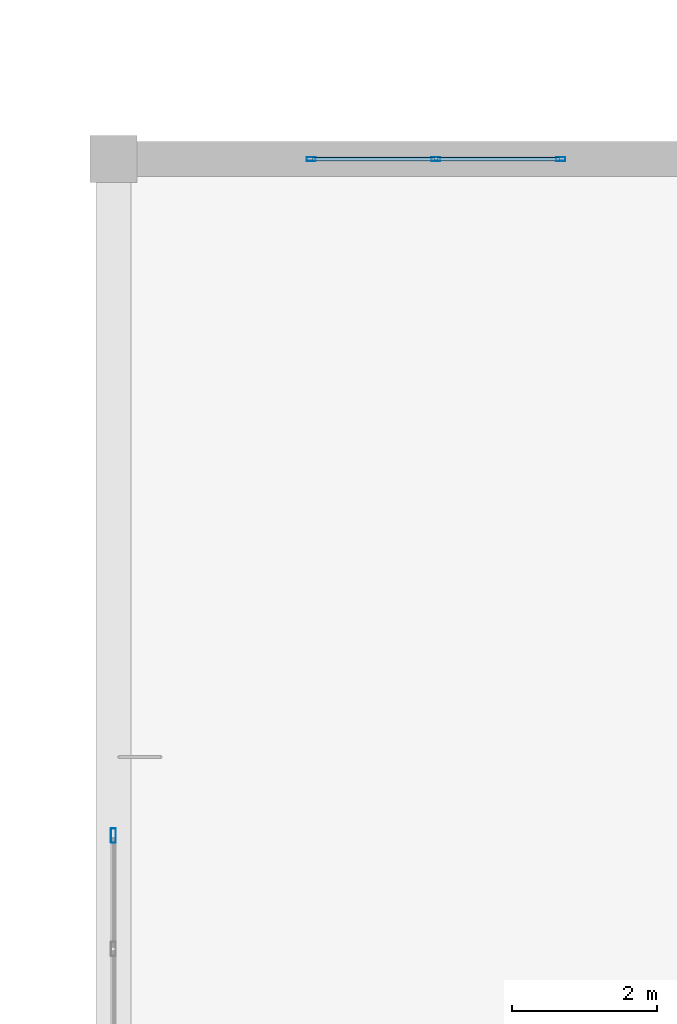
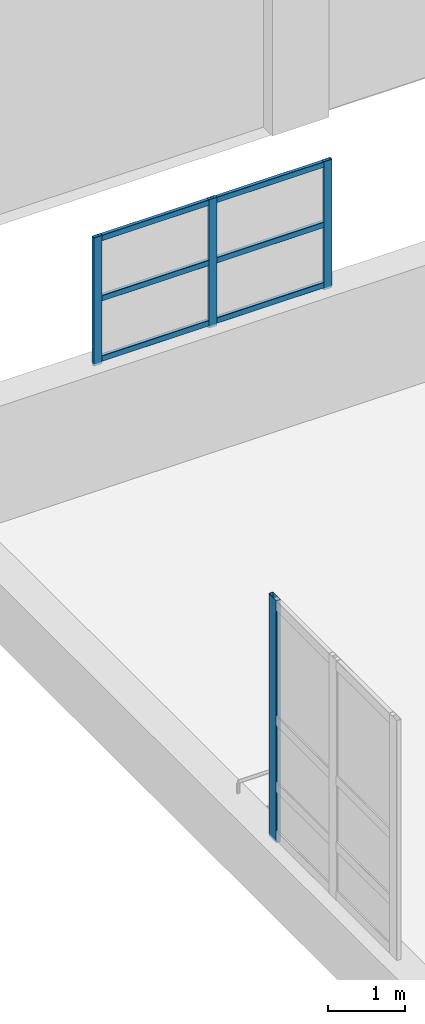
# One storey, part 21 of 197: 10 members, 2 elements without a shape of their own.
"""IFC4 building model written with IfcOpenShell, lengths in metres."""

import ifcopenshell
import ifcopenshell.guid

model = None  # the IFC model being written
_history = None  # IfcOwnerHistory: only IFC2X3 demands one
_inside = {}  # id of a spatial element -> (the spatial element, [elements in it])
_under = {}  # id of a project, library or spatial element -> (it, [spatial elements below it])
_declared = {}  # id of a project -> (the project, [libraries it declares])
_typed = {}  # id of a type object -> (the type object, [elements of that type])
_made_of = {}  # id of a material, layer set ... -> (it, [elements and type objects made of it])


def new_model(schema):
    """Start an empty IFC model of exactly this schema.

    Asked for "IFC4X3", IfcOpenShell would pick the latest addendum, in which some entities
    have other attributes; the version numbers below select the first issue.
    IFC2X3 requires an IfcOwnerHistory on every rooted entity: one is made here for all.
    """
    global model, _history
    if schema == "IFC4X3":
        model = ifcopenshell.file(schema_version=(4, 3, 0, 0))
    else:
        model = ifcopenshell.file(schema=schema)
    _inside.clear()
    _under.clear()
    _declared.clear()
    _typed.clear()
    _made_of.clear()
    _history = None
    if model.schema == "IFC2X3":
        org = make("IfcOrganization", Name="unknown")
        user = make(
            "IfcPersonAndOrganization",
            ThePerson=make("IfcPerson", FamilyName="unknown"),
            TheOrganization=org,
        )
        app = make(
            "IfcApplication",
            ApplicationDeveloper=org,
            Version="unknown",
            ApplicationFullName="unknown",
            ApplicationIdentifier="unknown",
        )
        _history = make(
            "IfcOwnerHistory",
            OwningUser=user,
            OwningApplication=app,
            ChangeAction="ADDED",
            CreationDate=0,
        )
    return model


def make(cls, **values):
    """One entity of the class cls with the attributes given. An attribute that is None is left unset."""
    return model.create_entity(
        cls, **{name: value for name, value in values.items() if value is not None}
    )


def rooted(cls, **values):
    """An entity with a GlobalId (a new one), such as an element, a storey or a relation."""
    return make(cls, GlobalId=ifcopenshell.guid.new(), OwnerHistory=_history, **values)


def si_unit(unit_type, name, prefix=None):
    """IfcSIUnit, for example si_unit("LENGTHUNIT", "METRE", prefix="MILLI")."""
    return make("IfcSIUnit", UnitType=unit_type, Prefix=prefix, Name=name)


def derived_unit(unit_type, elements):
    """IfcDerivedUnit: a product of units, each with its exponent."""
    return make(
        "IfcDerivedUnit",
        Elements=[
            make("IfcDerivedUnitElement", Unit=unit, Exponent=power)
            for unit, power in elements
        ],
        UnitType=unit_type,
    )


def assignment(units):
    """IfcUnitAssignment: the units of a project."""
    return None if units is None else make("IfcUnitAssignment", Units=units)


def point(xyz):
    """IfcCartesianPoint."""
    return None if xyz is None else make("IfcCartesianPoint", Coordinates=xyz)


def direction(xyz):
    """IfcDirection."""
    return None if xyz is None else make("IfcDirection", DirectionRatios=xyz)


def frame(location, z_axis=None, x_axis=None):
    """IfcAxis2Placement3D, a coordinate frame: its origin and axes. An axis left out is left unset."""
    return make(
        "IfcAxis2Placement3D",
        Location=point(location),
        Axis=direction(z_axis),
        RefDirection=direction(x_axis),
    )


def frame_2d(location, x_axis=None):
    """IfcAxis2Placement2D, a coordinate frame in the plane: its origin and x axis."""
    return make(
        "IfcAxis2Placement2D", Location=point(location), RefDirection=direction(x_axis)
    )


def origin():
    """The frame at (0, 0, 0) with its axes left unset."""
    return frame((0.0, 0.0, 0.0))


def origin_2d():
    """The frame at (0, 0) in the plane with its x axis left unset."""
    return frame_2d((0.0, 0.0))


def place(relative_to, where):
    """IfcLocalPlacement: puts the frame where relative to a parent placement (None: the world)."""
    return make(
        "IfcLocalPlacement", PlacementRelTo=relative_to, RelativePlacement=where
    )


def context(
    kind, dimensions, precision=None, world=None, true_north=None, identifier=None
):
    """IfcGeometricRepresentationContext, for example the 3D "Model" context."""
    return make(
        "IfcGeometricRepresentationContext",
        ContextIdentifier=identifier,
        ContextType=kind,
        CoordinateSpaceDimension=dimensions,
        Precision=precision,
        WorldCoordinateSystem=world,
        TrueNorth=true_north,
    )


def subcontext(parent, identifier, kind, view, scale=None):
    """IfcGeometricRepresentationSubContext, for example "Body" below "Model"."""
    return make(
        "IfcGeometricRepresentationSubContext",
        ContextIdentifier=identifier,
        ContextType=kind,
        ParentContext=parent,
        TargetScale=scale,
        TargetView=view,
    )


def project(units=None, contexts=None):
    """IfcProject with its units and contexts."""
    return rooted(
        "IfcProject",
        Name="project",
        RepresentationContexts=contexts,
        UnitsInContext=assignment(units),
    )


def spatial(cls, under=None, at=None, **own):
    """A site, building, storey or space (cls), placed at a placement, below another one or the project."""
    s = rooted(cls, ObjectPlacement=at, **own)
    if under is not None:
        _under.setdefault(under.id(), (under, []))[1].append(s)
    return s


def profile(cls, at=None, kind="AREA", **sizes):
    """A parametric profile (cls). Its sizes go by their IFC names, for example OverallWidth=200.0."""
    return make(cls, ProfileType=kind, Position=at, **sizes)


def hollow_rectangle(**sizes):
    """IfcRectangleHollowProfileDef."""
    return profile("IfcRectangleHollowProfileDef", **sizes)


def extrude(swept, where, along, depth):
    """IfcExtrudedAreaSolid: the profile swept, set in the frame where, extruded along a direction by depth."""
    return make(
        "IfcExtrudedAreaSolid",
        SweptArea=swept,
        Position=where,
        ExtrudedDirection=direction(along),
        Depth=depth,
    )


def shape(context_of_items, identifier, shape_type, items):
    """IfcShapeRepresentation: the items that make up one representation, for example the "Body"."""
    return make(
        "IfcShapeRepresentation",
        ContextOfItems=context_of_items,
        RepresentationIdentifier=identifier,
        RepresentationType=shape_type,
        Items=items,
    )


def material(Name=None, Category=None):
    """IfcMaterial."""
    return make("IfcMaterial", Name=Name, Category=Category)


def layer(
    of_material, thickness, ventilated=None, Name=None, Category=None, Priority=None
):
    """IfcMaterialLayer: one layer of a wall or slab, of a material (None: an air gap)."""
    return make(
        "IfcMaterialLayer",
        Material=of_material,
        LayerThickness=thickness,
        IsVentilated=ventilated,
        Name=Name,
        Category=Category,
        Priority=Priority,
    )


def layer_set(layers, Name=None):
    """IfcMaterialLayerSet."""
    return make("IfcMaterialLayerSet", MaterialLayers=layers, LayerSetName=Name)


def material_profile(
    of_material, cross_section, Name=None, Category=None, Priority=None
):
    """IfcMaterialProfile: a cross section and its material."""
    return make(
        "IfcMaterialProfile",
        Name=Name,
        Material=of_material,
        Profile=cross_section,
        Priority=Priority,
        Category=Category,
    )


def profile_set(profiles, Name=None, composite=None):
    """IfcMaterialProfileSet."""
    return make(
        "IfcMaterialProfileSet",
        Name=Name,
        MaterialProfiles=profiles,
        CompositeProfile=composite,
    )


def made_of(thing, what):
    """Note that an element or type object is made of a material, layer set ...; save() writes the relation."""
    if what is not None:
        _made_of.setdefault(what.id(), (what, []))[1].append(thing)
    return thing


def type_object(cls, material=None, **own):
    """A type object (cls), such as IfcWallType, which elements share."""
    return made_of(rooted(cls, **own), material)


def element(
    cls,
    number,
    at=None,
    inside=None,
    cuts=None,
    type_object=None,
    material=None,
    context=None,
    identifier="Body",
    shape_type=None,
    held_by="IfcProductDefinitionShape",
    body=None,
    shapes=None,
    **own,
):
    """One element of the class cls, such as IfcWall. Its Tag is "e" and its number.

    at: its placement. inside: the storey or other place that contains it. cuts: it is an
    opening in that element (IfcRelVoidsElement). A single representation is given by context,
    identifier, shape_type and body (its items); several are given by shapes. held_by: the class
    of the entity that holds the representations. save() writes the other relations.
    """
    e = rooted(cls, Tag="e%d" % number, ObjectPlacement=at, **own)
    if body is not None:
        shapes = [shape(context, identifier, shape_type, body)]
    if shapes is not None:
        e.Representation = make(held_by, Representations=shapes)
    if inside is not None:
        _inside.setdefault(inside.id(), (inside, []))[1].append(e)
    if cuts is not None:
        rooted(
            "IfcRelVoidsElement", RelatingBuildingElement=cuts, RelatedOpeningElement=e
        )
    if type_object is not None:
        _typed.setdefault(type_object.id(), (type_object, []))[1].append(e)
    return made_of(e, material)


def aggregate(whole, parts):
    """IfcRelAggregates: a whole, such as a stair, and the parts it consists of."""
    return rooted("IfcRelAggregates", RelatingObject=whole, RelatedObjects=parts)


def save(model, path):
    """Write the relations noted so far, then the file.

    IfcRelAggregates (storeys below a building ...), IfcRelContainedInSpatialStructure (elements
    in a storey), IfcRelDefinesByType, IfcRelAssociatesMaterial and IfcRelDeclares: one each for
    every whole, place, type object, material and project.
    """
    for whole, parts in _under.values():
        aggregate(whole, parts)
    for where, things in _inside.values():
        rooted(
            "IfcRelContainedInSpatialStructure",
            RelatedElements=things,
            RelatingStructure=where,
        )
    for kind, things in _typed.values():
        rooted("IfcRelDefinesByType", RelatedObjects=things, RelatingType=kind)
    for what, things in _made_of.values():
        rooted("IfcRelAssociatesMaterial", RelatedObjects=things, RelatingMaterial=what)
    for by, libraries in _declared.values():
        rooted("IfcRelDeclares", RelatingContext=by, RelatedDefinitions=libraries)
    model.write(path)


model = new_model("IFC4")

# Units and contexts
model_context = context("Model", 3, precision=1e-05, world=origin(), true_north=direction((0.0, 1.0)))
body_context = subcontext(model_context, "Body", "Model", "MODEL_VIEW")
ifc_project = project(units=[si_unit("LENGTHUNIT", "METRE"), si_unit("AREAUNIT", "SQUARE_METRE"), si_unit("VOLUMEUNIT", "CUBIC_METRE"), si_unit("PLANEANGLEUNIT", "RADIAN"), si_unit("MASSUNIT", "GRAM", prefix="KILO"), derived_unit("THERMALTRANSMITTANCEUNIT", [(si_unit("POWERUNIT", "WATT"), 1), (si_unit("LENGTHUNIT", "METRE"), -2), (si_unit("THERMODYNAMICTEMPERATUREUNIT", "KELVIN"), -1)])], contexts=[model_context])

# Site, building, storey
site_placement = place(None, origin())
site = spatial("IfcSite", under=ifc_project, at=site_placement, CompositionType="ELEMENT")
building_placement = place(site_placement, origin())
building = spatial("IfcBuilding", under=site, at=building_placement, Name="Almenara Railside Exhibition Hall", CompositionType="ELEMENT")
storey_placement = place(building_placement, frame((0.0, 0.0, 5.39990234375)))
storey = spatial("IfcBuildingStorey", under=building, at=storey_placement, Name="L01", CompositionType="ELEMENT", Elevation=5.39990234375)

# Curtain wall, members
ifc_material_1 = material(Name="Bronze-anodised aluminium and low-E double glazing", Category="aluminium")
ifc_layer_1 = layer(ifc_material_1, 0.179931640625, Name="Bronze-anodised aluminium and low-E double glazing")
ifc_layer_set_1 = layer_set([ifc_layer_1], Name="Bronze-anodised aluminium and low-E double glazing")
curtain_wall_type_1 = type_object("IfcCurtainWallType", Name="Plenary Clerestory Curtain Wall 3500x2000", PredefinedType="NOTDEFINED", material=ifc_layer_set_1)
curtain_wall_1_placement = place(storey_placement, origin())
curtain_wall_1 = element("IfcCurtainWall", 1, at=curtain_wall_1_placement, inside=storey, type_object=curtain_wall_type_1, Name="Curtain wall CW-CL5-094", PredefinedType="NOTDEFINED")
ifc_material_2 = material(Name="Bronze-anodised aluminium", Category="aluminium")
ifc_material_profile_1 = material_profile(ifc_material_2, hollow_rectangle(XDim=0.054931640625, YDim=0.125, WallThickness=0.0029296875, InnerFilletRadius=0.0029296875, OuterFilletRadius=0.006103515625, at=origin_2d()), Name="ALU-MUL 55x125x3")
ifc_profile_set_1 = profile_set([ifc_material_profile_1], Name="Bronze-anodised aluminium")
member_type_1 = type_object("IfcMemberType", Name="Curtain Wall Mullion 55x125x3", PredefinedType="MULLION", material=ifc_profile_set_1)
member_1_placement = place(storey_placement, frame((5.7275390625, 42.0, 1.815185546875), z_axis=(0.0, 0.0, 1.0), x_axis=(0.0, 1.0, 0.0)))
member_1 = element("IfcMember", 2, at=member_1_placement, type_object=member_type_1, Name="CW-CL5-094 mullion 1", PredefinedType="MULLION", context=body_context, shape_type="SweptSolid", body=[
    extrude(hollow_rectangle(XDim=0.054931640625, YDim=0.125, WallThickness=0.0029296875, InnerFilletRadius=0.0029296875, OuterFilletRadius=0.006103515625, at=origin_2d()), origin(), (0.0, 0.0, 1.0), 2.034912109375),
])
member_2_placement = place(storey_placement, frame((7.449951171875, 42.0, 1.815185546875), z_axis=(0.0, 0.0, 1.0), x_axis=(0.0, 1.0, 0.0)))
member_2 = element("IfcMember", 3, at=member_2_placement, type_object=member_type_1, Name="CW-CL5-094 mullion 2", PredefinedType="MULLION", context=body_context, shape_type="SweptSolid", body=[
    extrude(hollow_rectangle(XDim=0.054931640625, YDim=0.125, WallThickness=0.0029296875, InnerFilletRadius=0.0029296875, OuterFilletRadius=0.006103515625, at=origin_2d()), origin(), (0.0, 0.0, 1.0), 2.034912109375),
])
member_3_placement = place(storey_placement, frame((9.172607421875, 42.0, 1.815185546875), z_axis=(0.0, 0.0, 1.0), x_axis=(0.0, 1.0, 0.0)))
member_3 = element("IfcMember", 4, at=member_3_placement, type_object=member_type_1, Name="CW-CL5-094 mullion 3", PredefinedType="MULLION", context=body_context, shape_type="SweptSolid", body=[
    extrude(hollow_rectangle(XDim=0.054931640625, YDim=0.125, WallThickness=0.0029296875, InnerFilletRadius=0.0029296875, OuterFilletRadius=0.006103515625, at=origin_2d()), origin(), (0.0, 0.0, 1.0), 2.034912109375),
])

# Curtain wall, member
ifc_layer_2 = layer(ifc_material_1, 0.179931640625, Name="Bronze-anodised aluminium and low-E double glazing")
ifc_layer_set_2 = layer_set([ifc_layer_2], Name="Bronze-anodised aluminium and low-E double glazing")
curtain_wall_type_2 = type_object("IfcCurtainWallType", Name="Scroll Gable Side Curtain Wall 3200x3800", PredefinedType="NOTDEFINED", material=ifc_layer_set_2)
curtain_wall_2_placement = place(storey_placement, origin())
curtain_wall_2 = element("IfcCurtainWall", 5, at=curtain_wall_2_placement, inside=storey, type_object=curtain_wall_type_2, Name="Curtain wall CW-G4-112", PredefinedType="NOTDEFINED")
ifc_material_profile_2 = material_profile(ifc_material_2, hollow_rectangle(XDim=0.070068359375, YDim=0.199951171875, WallThickness=0.00439453125, InnerFilletRadius=0.00439453125, OuterFilletRadius=0.009033203125, at=origin_2d()), Name="ALU-MUL 70x200x4.5")
ifc_profile_set_2 = profile_set([ifc_material_profile_2], Name="Bronze-anodised aluminium")
member_type_2 = type_object("IfcMemberType", Name="Curtain Wall Mullion 70x200x4.5", PredefinedType="MULLION", material=ifc_profile_set_2)
member_4_placement = place(storey_placement, frame((3.0, 32.6650390625, 0.9150390625), z_axis=(0.0, 0.0, 1.0), x_axis=(-1.0, 0.0, 0.0)))
member_4 = element("IfcMember", 6, at=member_4_placement, type_object=member_type_2, Name="CW-G4-112 mullion 3", PredefinedType="MULLION", context=body_context, shape_type="SweptSolid", body=[
    extrude(hollow_rectangle(XDim=0.070068359375, YDim=0.199951171875, WallThickness=0.00439453125, InnerFilletRadius=0.00439453125, OuterFilletRadius=0.009033203125, at=origin_2d()), origin(), (0.0, 0.0, 1.0), 3.8349609375),
])
aggregate(curtain_wall_2, [member_4])

# Member
ifc_material_profile_3 = material_profile(ifc_material_2, hollow_rectangle(XDim=0.054931640625, YDim=0.090087890625, WallThickness=0.0029296875, InnerFilletRadius=0.0029296875, OuterFilletRadius=0.006103515625, at=origin_2d()), Name="ALU-TRN 55x90x3")
ifc_profile_set_3 = profile_set([ifc_material_profile_3], Name="Bronze-anodised aluminium")
member_type_3 = type_object("IfcMemberType", Name="Curtain Wall Transom 55x90x3", PredefinedType="USERDEFINED", material=ifc_profile_set_3)
member_5_placement = place(storey_placement, frame((5.7470703125, 42.0, 1.89501953125), z_axis=(1.0, 0.0, 0.0), x_axis=(0.0, 1.0, 0.0)))
member_5 = element("IfcMember", 7, at=member_5_placement, type_object=member_type_3, Name="CW-CL5-094 transom 1.1", ObjectType="TRANSOM", PredefinedType="USERDEFINED", context=body_context, shape_type="SweptSolid", body=[
    extrude(hollow_rectangle(XDim=0.054931640625, YDim=0.090087890625, WallThickness=0.0029296875, InnerFilletRadius=0.0029296875, OuterFilletRadius=0.006103515625, at=origin_2d()), origin(), (0.0, 0.0, 1.0), 1.683349609375),
])

member_6_placement = place(storey_placement, frame((5.7470703125, 42.0, 2.85009765625), z_axis=(1.0, 0.0, 0.0), x_axis=(0.0, 1.0, 0.0)))
member_6 = element("IfcMember", 8, at=member_6_placement, type_object=member_type_3, Name="CW-CL5-094 transom 1.2", ObjectType="TRANSOM", PredefinedType="USERDEFINED", context=body_context, shape_type="SweptSolid", body=[
    extrude(hollow_rectangle(XDim=0.054931640625, YDim=0.090087890625, WallThickness=0.0029296875, InnerFilletRadius=0.0029296875, OuterFilletRadius=0.006103515625, at=origin_2d()), origin(), (0.0, 0.0, 1.0), 1.683349609375),
])

member_7_placement = place(storey_placement, frame((5.7470703125, 42.0, 3.80517578125), z_axis=(1.0, 0.0, 0.0), x_axis=(0.0, 1.0, 0.0)))
member_7 = element("IfcMember", 9, at=member_7_placement, type_object=member_type_3, Name="CW-CL5-094 transom 1.3", ObjectType="TRANSOM", PredefinedType="USERDEFINED", context=body_context, shape_type="SweptSolid", body=[
    extrude(hollow_rectangle(XDim=0.054931640625, YDim=0.090087890625, WallThickness=0.0029296875, InnerFilletRadius=0.0029296875, OuterFilletRadius=0.006103515625, at=origin_2d()), origin(), (0.0, 0.0, 1.0), 1.683349609375),
])

member_8_placement = place(storey_placement, frame((7.469482421875, 42.0, 1.89501953125), z_axis=(1.0, 0.0, 0.0), x_axis=(0.0, 1.0, 0.0)))
member_8 = element("IfcMember", 10, at=member_8_placement, type_object=member_type_3, Name="CW-CL5-094 transom 2.1", ObjectType="TRANSOM", PredefinedType="USERDEFINED", context=body_context, shape_type="SweptSolid", body=[
    extrude(hollow_rectangle(XDim=0.054931640625, YDim=0.090087890625, WallThickness=0.0029296875, InnerFilletRadius=0.0029296875, OuterFilletRadius=0.006103515625, at=origin_2d()), origin(), (0.0, 0.0, 1.0), 1.68359375),
])

member_9_placement = place(storey_placement, frame((7.469482421875, 42.0, 2.85009765625), z_axis=(1.0, 0.0, 0.0), x_axis=(0.0, 1.0, 0.0)))
member_9 = element("IfcMember", 11, at=member_9_placement, type_object=member_type_3, Name="CW-CL5-094 transom 2.2", ObjectType="TRANSOM", PredefinedType="USERDEFINED", context=body_context, shape_type="SweptSolid", body=[
    extrude(hollow_rectangle(XDim=0.054931640625, YDim=0.090087890625, WallThickness=0.0029296875, InnerFilletRadius=0.0029296875, OuterFilletRadius=0.006103515625, at=origin_2d()), origin(), (0.0, 0.0, 1.0), 1.68359375),
])

member_10_placement = place(storey_placement, frame((7.469482421875, 42.0, 3.80517578125), z_axis=(1.0, 0.0, 0.0), x_axis=(0.0, 1.0, 0.0)))
member_10 = element("IfcMember", 12, at=member_10_placement, type_object=member_type_3, Name="CW-CL5-094 transom 2.3", ObjectType="TRANSOM", PredefinedType="USERDEFINED", context=body_context, shape_type="SweptSolid", body=[
    extrude(hollow_rectangle(XDim=0.054931640625, YDim=0.090087890625, WallThickness=0.0029296875, InnerFilletRadius=0.0029296875, OuterFilletRadius=0.006103515625, at=origin_2d()), origin(), (0.0, 0.0, 1.0), 1.68359375),
])

aggregate(curtain_wall_1, [member_1, member_2, member_3, member_5, member_6, member_7, member_8, member_9, member_10])

save(model, "model.ifc")
